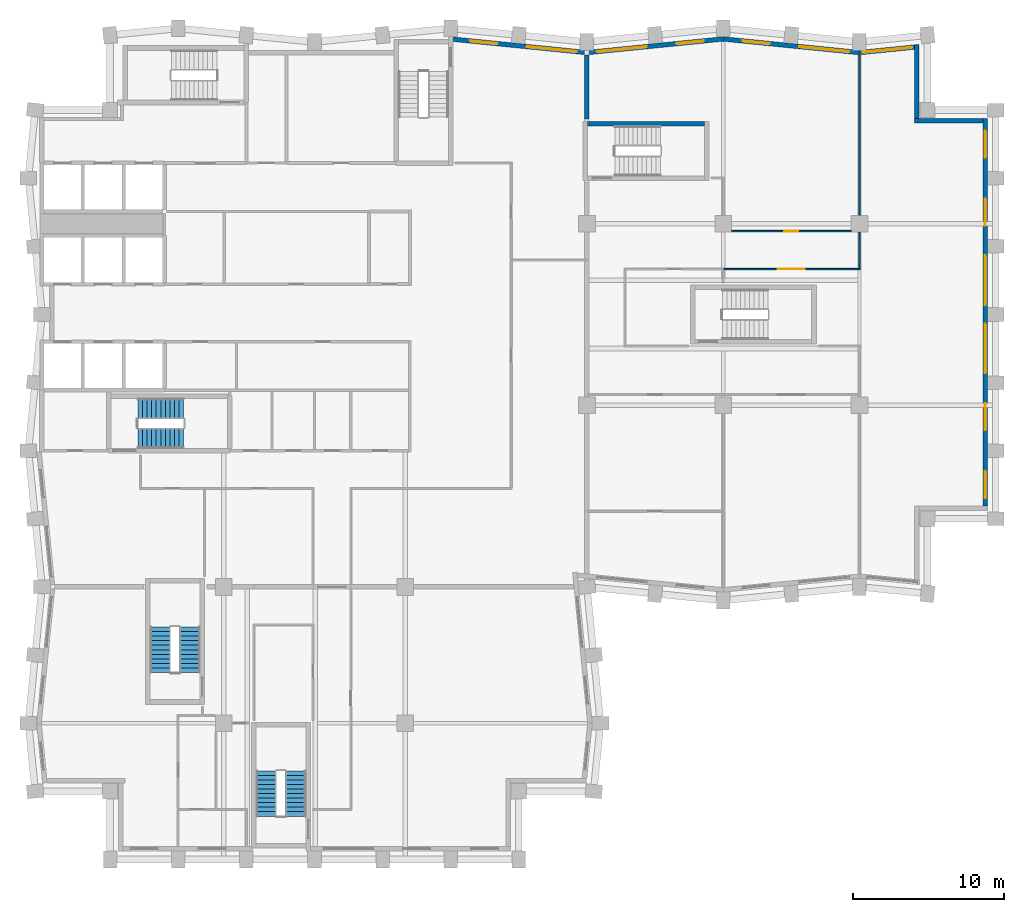
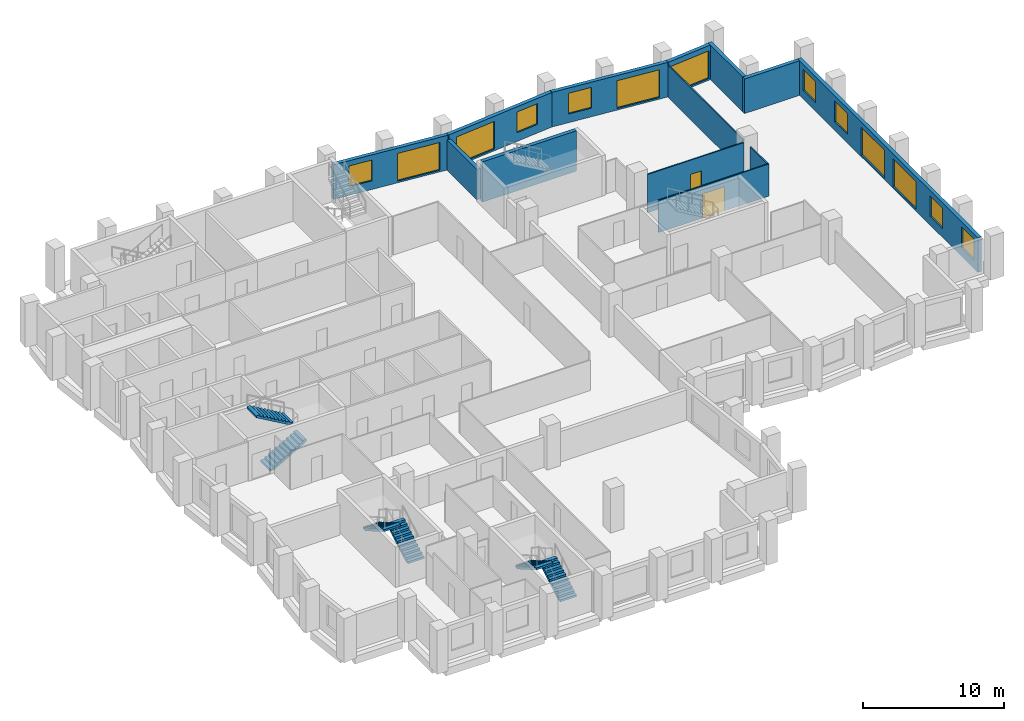
# One storey, part 7 of 10: 13 walls, 13 windows, 6 stair flights, 2 doors, 15 openings, 3 elements without a shape of their own.
"""IFC4 building model written with IfcOpenShell, lengths in metres."""

from ifc_helpers import new_model, si_unit, direction, frame, frame_2d, origin, place, context, subcontext, project, spatial, polyline, rectangle, outline, extrude, material, layer, layer_set, type_object, element, fill, aggregate, save


model = new_model("IFC4")

# Units and contexts
model_context = context("Model", 3, precision=1e-05, world=origin(), true_north=direction((0.0, 1.0)))
body_context = subcontext(model_context, "Body", "Model", "MODEL_VIEW")
ifc_project = project(units=[si_unit("LENGTHUNIT", "METRE"), si_unit("AREAUNIT", "SQUARE_METRE"), si_unit("VOLUMEUNIT", "CUBIC_METRE"), si_unit("PLANEANGLEUNIT", "RADIAN"), si_unit("MASSUNIT", "GRAM", prefix="KILO")], contexts=[model_context])

# Site, building, storey
site_placement = place(None, origin())
site = spatial("IfcSite", under=ifc_project, at=site_placement, CompositionType="ELEMENT")
building_placement = place(site_placement, origin())
building = spatial("IfcBuilding", under=site, at=building_placement, Name="Brondeck Convention Tower", CompositionType="ELEMENT")
storey_placement = place(building_placement, frame((0.0, 0.0, 189.0)))
storey = spatial("IfcBuildingStorey", under=building, at=storey_placement, Name="L46", CompositionType="ELEMENT", Elevation=189.0)

# Wall
ifc_material_1 = material(Name="Concrete compartment wall C30/37", Category="concrete")
ifc_layer_1 = layer(ifc_material_1, 0.300048828125)
ifc_layer_set_1 = layer_set([ifc_layer_1], Name="Compartment wall 300")
wall_type_1 = type_object("IfcWallType", Name="Compartment wall 300", PredefinedType="PARTITIONING", material=ifc_layer_set_1)
wall_1_placement = place(storey_placement, frame((36.0, 57.89990234375, 0.0), z_axis=(0.0, 0.0, 1.0), x_axis=(0.0, 1.0, 0.0)))
element("IfcWall", 1, at=wall_1_placement, inside=storey, type_object=wall_type_1, Name="FLR-L46-W058", PredefinedType="PARTITIONING", context=body_context, shape_type="SweptSolid", body=[
    extrude(rectangle(XDim=4.22607421875, YDim=0.300048828125, at=frame_2d((2.113037109375, 0.0))), origin(), (0.0, 0.0, 1.0), 2.6298828125),
])

# Wall, openings, windows
ifc_material_2 = material(Name="Precast concrete C50/60 bronze finish", Category="concrete")
ifc_layer_2 = layer(ifc_material_2, 0.070068359375, Name="Bronze precast facing")
ifc_material_3 = material(Name="Mineral wool")
ifc_layer_3 = layer(ifc_material_3, 0.159912109375, Name="Insulation")
ifc_material_4 = material(Name="Concrete C35/45", Category="concrete")
ifc_layer_4 = layer(ifc_material_4, 0.070068359375, Name="Backing")
ifc_layer_set_2 = layer_set([ifc_layer_2, ifc_layer_3, ifc_layer_4], Name="External infill wall, precast concrete C50/60 bronze facing")
wall_type_2 = type_object("IfcWallType", Name="External infill wall, precast concrete C50/60 bronze facing", PredefinedType="SOLIDWALL", material=ifc_layer_set_2)
wall_2_placement = place(storey_placement, frame((62.300048828125, 57.949951171875, 0.0), z_axis=(0.0, 0.0, 1.0), x_axis=(0.0, -1.0, 0.0)))
wall_2 = element("IfcWall", 2, at=wall_2_placement, inside=storey, type_object=wall_type_2, Name="ENV-EW-L46-P1-A-E63-01", PredefinedType="SOLIDWALL", context=body_context, shape_type="SweptSolid", body=[
    extrude(rectangle(XDim=25.60205078125, YDim=0.300048828125, at=frame_2d((12.801025390625, 0.0))), origin(), (0.0, 0.0, 1.0), 3.0),
])
opening_1_placement = place(wall_2_placement, frame((0.800048828125, 0.0, 0.75)))
opening_1 = element("IfcOpeningElement", 3, at=opening_1_placement, cuts=wall_2, Name="Opening W10", PredefinedType="OPENING", context=body_context, shape_type="SweptSolid", body=[
    extrude(rectangle(XDim=1.800048828125, YDim=1.800048828125, at=frame_2d((0.89990234375, 0.89990234375))), frame((0.0, 0.159912109375, 0.0), z_axis=(0.0, -1.0, 0.0), x_axis=(1.0, 0.0, 0.0)), (0.0, 0.0, 1.0), 0.320068359375),
])
opening_2_placement = place(wall_2_placement, frame((5.300048828125, 0.0, 0.75)))
opening_2 = element("IfcOpeningElement", 4, at=opening_2_placement, cuts=wall_2, Name="Opening W10", PredefinedType="OPENING", context=body_context, shape_type="SweptSolid", body=[
    extrude(rectangle(XDim=1.800048828125, YDim=1.800048828125, at=frame_2d((0.89990234375, 0.89990234375))), frame((0.0, 0.159912109375, 0.0), z_axis=(0.0, -1.0, 0.0), x_axis=(1.0, 0.0, 0.0)), (0.0, 0.0, 1.0), 0.320068359375),
])
opening_3_placement = place(wall_2_placement, frame((9.050048828125, 0.0, 0.14990234375)))
opening_3 = element("IfcOpeningElement", 5, at=opening_3_placement, cuts=wall_2, Name="Opening W9", PredefinedType="OPENING", context=body_context, shape_type="SweptSolid", body=[
    extrude(rectangle(XDim=3.300048828125, YDim=2.39990234375, at=frame_2d((1.64990234375, 1.199951171875))), frame((0.0, 0.159912109375, 0.0), z_axis=(0.0, -1.0, 0.0), x_axis=(1.0, 0.0, 0.0)), (0.0, 0.0, 1.0), 0.320068359375),
])
opening_4_placement = place(wall_2_placement, frame((13.550048828125, 0.0, 0.14990234375)))
opening_4 = element("IfcOpeningElement", 6, at=opening_4_placement, cuts=wall_2, Name="Opening W9", PredefinedType="OPENING", context=body_context, shape_type="SweptSolid", body=[
    extrude(rectangle(XDim=3.300048828125, YDim=2.39990234375, at=frame_2d((1.64990234375, 1.199951171875))), frame((0.0, 0.159912109375, 0.0), z_axis=(0.0, -1.0, 0.0), x_axis=(1.0, 0.0, 0.0)), (0.0, 0.0, 1.0), 0.320068359375),
])
opening_5_placement = place(wall_2_placement, frame((18.800048828125, 0.0, 0.75)))
opening_5 = element("IfcOpeningElement", 7, at=opening_5_placement, cuts=wall_2, Name="Opening W10", PredefinedType="OPENING", context=body_context, shape_type="SweptSolid", body=[
    extrude(rectangle(XDim=1.800048828125, YDim=1.800048828125, at=frame_2d((0.89990234375, 0.89990234375))), frame((0.0, 0.159912109375, 0.0), z_axis=(0.0, -1.0, 0.0), x_axis=(1.0, 0.0, 0.0)), (0.0, 0.0, 1.0), 0.320068359375),
])
opening_6_placement = place(wall_2_placement, frame((23.300048828125, 0.0, 0.75)))
opening_6 = element("IfcOpeningElement", 8, at=opening_6_placement, cuts=wall_2, Name="Opening W10", PredefinedType="OPENING", context=body_context, shape_type="SweptSolid", body=[
    extrude(rectangle(XDim=1.800048828125, YDim=1.800048828125, at=frame_2d((0.89990234375, 0.89990234375))), frame((0.0, 0.159912109375, 0.0), z_axis=(0.0, -1.0, 0.0), x_axis=(1.0, 0.0, 0.0)), (0.0, 0.0, 1.0), 0.320068359375),
])
ifc_material_5 = material(Name="Bronze tinted double glazing", Category="glass")
window_type_1 = type_object("IfcWindowType", Name="Glazed flute window, bronze tinted", PartitioningType="SINGLE_PANEL", PredefinedType="WINDOW", material=ifc_material_5)
window_1_placement = place(opening_3_placement, origin())
window_1 = element("IfcWindow", 9, at=window_1_placement, inside=storey, type_object=window_type_1, Name="ENV-WN-L46-P1-A-E63-04", OverallHeight=2.39990234375, OverallWidth=3.300048828125, PartitioningType="SINGLE_PANEL", PredefinedType="WINDOW", context=body_context, shape_type="SweptSolid", body=[
    extrude(rectangle(XDim=3.300048828125, YDim=2.39990234375, at=frame_2d((1.64990234375, 1.199951171875))), frame((0.0, 0.030029296875, 0.0), z_axis=(0.0, -1.0, 0.0), x_axis=(1.0, 0.0, 0.0)), (0.0, 0.0, 1.0), 0.06005859375),
])
fill(opening_3, window_1)
window_2_placement = place(opening_4_placement, origin())
window_2 = element("IfcWindow", 10, at=window_2_placement, inside=storey, type_object=window_type_1, Name="ENV-WN-L46-P1-A-E63-03", OverallHeight=2.39990234375, OverallWidth=3.300048828125, PartitioningType="SINGLE_PANEL", PredefinedType="WINDOW", context=body_context, shape_type="SweptSolid", body=[
    extrude(rectangle(XDim=3.300048828125, YDim=2.39990234375, at=frame_2d((1.64990234375, 1.199951171875))), frame((0.0, 0.030029296875, 0.0), z_axis=(0.0, -1.0, 0.0), x_axis=(1.0, 0.0, 0.0)), (0.0, 0.0, 1.0), 0.06005859375),
])
fill(opening_4, window_2)
window_type_2 = type_object("IfcWindowType", Name="Punched window, bronze tinted", PartitioningType="SINGLE_PANEL", PredefinedType="WINDOW", material=ifc_material_5)
window_3_placement = place(opening_1_placement, origin())
window_3 = element("IfcWindow", 11, at=window_3_placement, inside=storey, type_object=window_type_2, Name="ENV-WN-L46-P1-A-E63-06", OverallHeight=1.800048828125, OverallWidth=1.800048828125, PartitioningType="SINGLE_PANEL", PredefinedType="WINDOW", context=body_context, shape_type="SweptSolid", body=[
    extrude(rectangle(XDim=1.800048828125, YDim=1.800048828125, at=frame_2d((0.89990234375, 0.89990234375))), frame((0.0, 0.030029296875, 0.0), z_axis=(0.0, -1.0, 0.0), x_axis=(1.0, 0.0, 0.0)), (0.0, 0.0, 1.0), 0.06005859375),
])
fill(opening_1, window_3)
window_4_placement = place(opening_2_placement, origin())
window_4 = element("IfcWindow", 12, at=window_4_placement, inside=storey, type_object=window_type_2, Name="ENV-WN-L46-P1-A-E63-05", OverallHeight=1.800048828125, OverallWidth=1.800048828125, PartitioningType="SINGLE_PANEL", PredefinedType="WINDOW", context=body_context, shape_type="SweptSolid", body=[
    extrude(rectangle(XDim=1.800048828125, YDim=1.800048828125, at=frame_2d((0.89990234375, 0.89990234375))), frame((0.0, 0.030029296875, 0.0), z_axis=(0.0, -1.0, 0.0), x_axis=(1.0, 0.0, 0.0)), (0.0, 0.0, 1.0), 0.06005859375),
])
fill(opening_2, window_4)
window_5_placement = place(opening_5_placement, origin())
window_5 = element("IfcWindow", 13, at=window_5_placement, inside=storey, type_object=window_type_2, Name="ENV-WN-L46-P1-A-E63-02", OverallHeight=1.800048828125, OverallWidth=1.800048828125, PartitioningType="SINGLE_PANEL", PredefinedType="WINDOW", context=body_context, shape_type="SweptSolid", body=[
    extrude(rectangle(XDim=1.800048828125, YDim=1.800048828125, at=frame_2d((0.89990234375, 0.89990234375))), frame((0.0, 0.030029296875, 0.0), z_axis=(0.0, -1.0, 0.0), x_axis=(1.0, 0.0, 0.0)), (0.0, 0.0, 1.0), 0.06005859375),
])
fill(opening_5, window_5)
window_6_placement = place(opening_6_placement, origin())
window_6 = element("IfcWindow", 14, at=window_6_placement, inside=storey, type_object=window_type_2, Name="ENV-WN-L46-P1-A-E63-01", OverallHeight=1.800048828125, OverallWidth=1.800048828125, PartitioningType="SINGLE_PANEL", PredefinedType="WINDOW", context=body_context, shape_type="SweptSolid", body=[
    extrude(rectangle(XDim=1.800048828125, YDim=1.800048828125, at=frame_2d((0.89990234375, 0.89990234375))), frame((0.0, 0.030029296875, 0.0), z_axis=(0.0, -1.0, 0.0), x_axis=(1.0, 0.0, 0.0)), (0.0, 0.0, 1.0), 0.06005859375),
])
fill(opening_6, window_6)

# Walls
wall_3_placement = place(storey_placement, frame((57.64990234375, 57.800048828125, 0.0), z_axis=(0.0, 0.0, 1.0), x_axis=(1.0, 0.0, 0.0)))
element("IfcWall", 15, at=wall_3_placement, inside=storey, type_object=wall_type_2, Name="ENV-EW-L46-P1-NC-NEA63-01", PredefinedType="SOLIDWALL", context=body_context, shape_type="SweptSolid", body=[
    extrude(rectangle(XDim=4.502197265625, YDim=0.300048828125, at=frame_2d((2.2509765625, 0.0))), origin(), (0.0, 0.0, 1.0), 3.0),
])
wall_4_placement = place(storey_placement, frame((57.800048828125, 62.84228515625, 0.0), z_axis=(0.0, 0.0, 1.0), x_axis=(0.0, -1.0, 0.0)))
element("IfcWall", 16, at=wall_4_placement, inside=storey, type_object=wall_type_2, Name="ENV-EW-L46-P1-NC-NEA63-02", PredefinedType="SOLIDWALL", context=body_context, shape_type="SweptSolid", body=[
    extrude(rectangle(XDim=4.894287109375, YDim=0.300048828125, at=frame_2d((2.447265625, 0.0))), origin(), (0.0, 0.0, 1.0), 3.0),
])

# Wall, opening, window
wall_5_placement = place(storey_placement, frame((53.985107421875, 62.294921875, 0.0), z_axis=(0.0, 0.0, 1.0), x_axis=(0.99503719021, 0.099503719021, 0.0)))
wall_5 = element("IfcWall", 17, at=wall_5_placement, inside=storey, type_object=wall_type_2, Name="ENV-EW-L46-P1-A-N-12", PredefinedType="SOLIDWALL", context=body_context, shape_type="SweptSolid", body=[
    extrude(rectangle(XDim=3.677978515625, YDim=0.300048828125, at=frame_2d((1.8388671875, 0.0))), origin(), (0.0, 0.0, 1.0), 3.0),
])
opening_7_placement = place(wall_5_placement, frame((0.22802734375, 0.0, 0.14990234375)))
opening_7 = element("IfcOpeningElement", 18, at=opening_7_placement, cuts=wall_5, Name="Opening W9", PredefinedType="OPENING", context=body_context, shape_type="SweptSolid", body=[
    extrude(rectangle(XDim=3.300048828125, YDim=2.39990234375, at=frame_2d((1.64990234375, 1.199951171875))), frame((0.0, 0.159912109375, 0.0), z_axis=(0.0, -1.0, 0.0), x_axis=(1.0, 0.0, 0.0)), (0.0, 0.0, 1.0), 0.320068359375),
])
window_7_placement = place(opening_7_placement, origin())
window_7 = element("IfcWindow", 19, at=window_7_placement, inside=storey, type_object=window_type_1, Name="ENV-WN-L46-P1-A-N-12", OverallHeight=2.39990234375, OverallWidth=3.300048828125, PartitioningType="SINGLE_PANEL", PredefinedType="WINDOW", context=body_context, shape_type="SweptSolid", body=[
    extrude(rectangle(XDim=3.300048828125, YDim=2.39990234375, at=frame_2d((1.64990234375, 1.199951171875))), frame((0.0, 0.030029296875, 0.0), z_axis=(0.0, -1.0, 0.0), x_axis=(1.0, 0.0, 0.0)), (0.0, 0.0, 1.0), 0.06005859375),
])
fill(opening_7, window_7)

# Wall, openings, windows
wall_6_placement = place(storey_placement, frame((44.985107421875, 63.197998046875, 0.0), z_axis=(0.0, 0.0, 1.0), x_axis=(0.995037993253, -0.099495688264, 0.0)))
wall_6 = element("IfcWall", 20, at=wall_6_placement, inside=storey, type_object=wall_type_2, Name="ENV-EW-L46-P1-A-N-11", PredefinedType="SOLIDWALL", context=body_context, shape_type="SweptSolid", body=[
    extrude(rectangle(XDim=9.030029296875, YDim=0.300048828125, at=frame_2d((4.51513671875, 0.0))), origin(), (0.0, 0.0, 1.0), 3.0),
])
opening_8_placement = place(wall_6_placement, frame((1.30615234375, 0.0, 0.75)))
opening_8 = element("IfcOpeningElement", 21, at=opening_8_placement, cuts=wall_6, Name="Opening W10", PredefinedType="OPENING", context=body_context, shape_type="SweptSolid", body=[
    extrude(rectangle(XDim=1.800048828125, YDim=1.800048828125, at=frame_2d((0.89990234375, 0.89990234375))), frame((0.0, 0.159912109375, 0.0), z_axis=(0.0, -1.0, 0.0), x_axis=(1.0, 0.0, 0.0)), (0.0, 0.0, 1.0), 0.320068359375),
])
opening_9_placement = place(wall_6_placement, frame((5.07861328125, 0.0, 0.14990234375)))
opening_9 = element("IfcOpeningElement", 22, at=opening_9_placement, cuts=wall_6, Name="Opening W9", PredefinedType="OPENING", context=body_context, shape_type="SweptSolid", body=[
    extrude(rectangle(XDim=3.300048828125, YDim=2.39990234375, at=frame_2d((1.64990234375, 1.199951171875))), frame((0.0, 0.159912109375, 0.0), z_axis=(0.0, -1.0, 0.0), x_axis=(1.0, 0.0, 0.0)), (0.0, 0.0, 1.0), 0.320068359375),
])
window_8_placement = place(opening_9_placement, origin())
window_8 = element("IfcWindow", 23, at=window_8_placement, inside=storey, type_object=window_type_1, Name="ENV-WN-L46-P1-A-N-11", OverallHeight=2.39990234375, OverallWidth=3.300048828125, PartitioningType="SINGLE_PANEL", PredefinedType="WINDOW", context=body_context, shape_type="SweptSolid", body=[
    extrude(rectangle(XDim=3.300048828125, YDim=2.39990234375, at=frame_2d((1.64990234375, 1.199951171875))), frame((0.0, 0.030029296875, 0.0), z_axis=(0.0, -1.0, 0.0), x_axis=(1.0, 0.0, 0.0)), (0.0, 0.0, 1.0), 0.06005859375),
])
fill(opening_9, window_8)
window_9_placement = place(opening_8_placement, origin())
window_9 = element("IfcWindow", 24, at=window_9_placement, inside=storey, type_object=window_type_2, Name="ENV-WN-L46-P1-A-N-10", OverallHeight=1.800048828125, OverallWidth=1.800048828125, PartitioningType="SINGLE_PANEL", PredefinedType="WINDOW", context=body_context, shape_type="SweptSolid", body=[
    extrude(rectangle(XDim=1.800048828125, YDim=1.800048828125, at=frame_2d((0.89990234375, 0.89990234375))), frame((0.0, 0.030029296875, 0.0), z_axis=(0.0, -1.0, 0.0), x_axis=(1.0, 0.0, 0.0)), (0.0, 0.0, 1.0), 0.06005859375),
])
fill(opening_8, window_9)

wall_7_placement = place(storey_placement, frame((35.985107421875, 62.294921875, 0.0), z_axis=(0.0, 0.0, 1.0), x_axis=(0.995035316196, 0.099522457379, 0.0)))
wall_7 = element("IfcWall", 25, at=wall_7_placement, inside=storey, type_object=wall_type_2, Name="ENV-EW-L46-P1-A-N-09", PredefinedType="SOLIDWALL", context=body_context, shape_type="SweptSolid", body=[
    extrude(rectangle(XDim=9.030029296875, YDim=0.300048828125, at=frame_2d((4.51513671875, 0.0))), origin(), (0.0, 0.0, 1.0), 3.0),
])
opening_10_placement = place(wall_7_placement, frame((0.6962890625, 0.0, 0.14990234375)))
opening_10 = element("IfcOpeningElement", 26, at=opening_10_placement, cuts=wall_7, Name="Opening W9", PredefinedType="OPENING", context=body_context, shape_type="SweptSolid", body=[
    extrude(rectangle(XDim=3.300048828125, YDim=2.39990234375, at=frame_2d((1.64990234375, 1.199951171875))), frame((0.0, 0.159912109375, 0.0), z_axis=(0.0, -1.0, 0.0), x_axis=(1.0, 0.0, 0.0)), (0.0, 0.0, 1.0), 0.320068359375),
])
opening_11_placement = place(wall_7_placement, frame((5.968505859375, 0.0, 0.75)))
opening_11 = element("IfcOpeningElement", 27, at=opening_11_placement, cuts=wall_7, Name="Opening W10", PredefinedType="OPENING", context=body_context, shape_type="SweptSolid", body=[
    extrude(rectangle(XDim=1.800048828125, YDim=1.800048828125, at=frame_2d((0.89990234375, 0.89990234375))), frame((0.0, 0.159912109375, 0.0), z_axis=(0.0, -1.0, 0.0), x_axis=(1.0, 0.0, 0.0)), (0.0, 0.0, 1.0), 0.320068359375),
])
window_10_placement = place(opening_10_placement, origin())
window_10 = element("IfcWindow", 28, at=window_10_placement, inside=storey, type_object=window_type_1, Name="ENV-WN-L46-P1-A-N-08", OverallHeight=2.39990234375, OverallWidth=3.300048828125, PartitioningType="SINGLE_PANEL", PredefinedType="WINDOW", context=body_context, shape_type="SweptSolid", body=[
    extrude(rectangle(XDim=3.300048828125, YDim=2.39990234375, at=frame_2d((1.64990234375, 1.199951171875))), frame((0.0, 0.030029296875, 0.0), z_axis=(0.0, -1.0, 0.0), x_axis=(1.0, 0.0, 0.0)), (0.0, 0.0, 1.0), 0.06005859375),
])
fill(opening_10, window_10)
window_11_placement = place(opening_11_placement, origin())
window_11 = element("IfcWindow", 29, at=window_11_placement, inside=storey, type_object=window_type_2, Name="ENV-WN-L46-P1-A-N-09", OverallHeight=1.800048828125, OverallWidth=1.800048828125, PartitioningType="SINGLE_PANEL", PredefinedType="WINDOW", context=body_context, shape_type="SweptSolid", body=[
    extrude(rectangle(XDim=1.800048828125, YDim=1.800048828125, at=frame_2d((0.89990234375, 0.89990234375))), frame((0.0, 0.030029296875, 0.0), z_axis=(0.0, -1.0, 0.0), x_axis=(1.0, 0.0, 0.0)), (0.0, 0.0, 1.0), 0.06005859375),
])
fill(opening_11, window_11)

wall_8_placement = place(storey_placement, frame((27.07958984375, 63.188720703125, 0.0), z_axis=(0.0, 0.0, 1.0), x_axis=(0.995036108007, -0.099514540459, 0.0)))
wall_8 = element("IfcWall", 30, at=wall_8_placement, inside=storey, type_object=wall_type_2, Name="ENV-EW-L46-P1-A-N-07", PredefinedType="SOLIDWALL", context=body_context, shape_type="SweptSolid", body=[
    extrude(rectangle(XDim=8.93505859375, YDim=0.300048828125, at=frame_2d((4.467529296875, 0.0))), origin(), (0.0, 0.0, 1.0), 3.0),
])
opening_12_placement = place(wall_8_placement, frame((1.211181640625, 0.0, 0.75)))
opening_12 = element("IfcOpeningElement", 31, at=opening_12_placement, cuts=wall_8, Name="Opening W10", PredefinedType="OPENING", context=body_context, shape_type="SweptSolid", body=[
    extrude(rectangle(XDim=1.800048828125, YDim=1.800048828125, at=frame_2d((0.89990234375, 0.89990234375))), frame((0.0, 0.159912109375, 0.0), z_axis=(0.0, -1.0, 0.0), x_axis=(1.0, 0.0, 0.0)), (0.0, 0.0, 1.0), 0.320068359375),
])
opening_13_placement = place(wall_8_placement, frame((4.983642578125, 0.0, 0.14990234375)))
opening_13 = element("IfcOpeningElement", 32, at=opening_13_placement, cuts=wall_8, Name="Opening W9", PredefinedType="OPENING", context=body_context, shape_type="SweptSolid", body=[
    extrude(rectangle(XDim=3.300048828125, YDim=2.39990234375, at=frame_2d((1.64990234375, 1.199951171875))), frame((0.0, 0.159912109375, 0.0), z_axis=(0.0, -1.0, 0.0), x_axis=(1.0, 0.0, 0.0)), (0.0, 0.0, 1.0), 0.320068359375),
])
window_12_placement = place(opening_13_placement, origin())
window_12 = element("IfcWindow", 33, at=window_12_placement, inside=storey, type_object=window_type_1, Name="ENV-WN-L46-P1-A-N-07", OverallHeight=2.39990234375, OverallWidth=3.300048828125, PartitioningType="SINGLE_PANEL", PredefinedType="WINDOW", context=body_context, shape_type="SweptSolid", body=[
    extrude(rectangle(XDim=3.300048828125, YDim=2.39990234375, at=frame_2d((1.64990234375, 1.199951171875))), frame((0.0, 0.030029296875, 0.0), z_axis=(0.0, -1.0, 0.0), x_axis=(1.0, 0.0, 0.0)), (0.0, 0.0, 1.0), 0.06005859375),
])
fill(opening_13, window_12)
window_13_placement = place(opening_12_placement, origin())
window_13 = element("IfcWindow", 34, at=window_13_placement, inside=storey, type_object=window_type_2, Name="ENV-WN-L46-P1-A-N-06", OverallHeight=1.800048828125, OverallWidth=1.800048828125, PartitioningType="SINGLE_PANEL", PredefinedType="WINDOW", context=body_context, shape_type="SweptSolid", body=[
    extrude(rectangle(XDim=1.800048828125, YDim=1.800048828125, at=frame_2d((0.89990234375, 0.89990234375))), frame((0.0, 0.030029296875, 0.0), z_axis=(0.0, -1.0, 0.0), x_axis=(1.0, 0.0, 0.0)), (0.0, 0.0, 1.0), 0.06005859375),
])
fill(opening_12, window_13)

# Wall, opening, door
ifc_material_6 = material(Name="Gypsum board partition on steel studs", Category="steel")
ifc_layer_5 = layer(ifc_material_6, 0.10009765625)
ifc_layer_set_3 = layer_set([ifc_layer_5], Name="Room partition 100")
wall_type_3 = type_object("IfcWallType", Name="Room partition 100", PredefinedType="PARTITIONING", material=ifc_layer_set_3)
wall_9_placement = place(storey_placement, frame((54.050048828125, 48.0, 0.0), z_axis=(0.0, 0.0, 1.0), x_axis=(-1.0, 0.0, 0.0)))
wall_9 = element("IfcWall", 35, at=wall_9_placement, inside=storey, type_object=wall_type_3, Name="FLR-L46-W046", PredefinedType="PARTITIONING", context=body_context, shape_type="SweptSolid", body=[
    extrude(rectangle(XDim=9.050048828125, YDim=0.10009765625, at=frame_2d((4.52490234375, 0.0))), origin(), (0.0, 0.0, 1.0), 2.780029296875),
])
opening_14_placement = place(wall_9_placement, frame((3.64990234375, 0.0, 0.0)))
opening_14 = element("IfcOpeningElement", 36, at=opening_14_placement, cuts=wall_9, Name="Opening OF-J-005", PredefinedType="OPENING", context=body_context, shape_type="SweptSolid", body=[
    extrude(rectangle(XDim=1.800048828125, YDim=2.10009765625, at=frame_2d((0.89990234375, 1.050048828125))), frame((0.0, 0.06005859375, 0.0), z_axis=(0.0, -1.0, 0.0), x_axis=(1.0, 0.0, 0.0)), (0.0, 0.0, 1.0), 0.1201171875),
])
ifc_material_7 = material(Name="Glazed timber double door", Category="wood")
door_type_1 = type_object("IfcDoorType", Name="Double door 1800", OperationType="DOUBLE_DOOR_SINGLE_SWING", PredefinedType="DOOR", material=ifc_material_7)
door_1_placement = place(opening_14_placement, origin())
door_1 = element("IfcDoor", 37, at=door_1_placement, inside=storey, type_object=door_type_1, Name="Door OF-J-005", OperationType="DOUBLE_DOOR_SINGLE_SWING", OverallHeight=2.10009765625, OverallWidth=1.800048828125, PredefinedType="DOOR", context=body_context, shape_type="SweptSolid", body=[
    extrude(rectangle(XDim=1.800048828125, YDim=2.10009765625, at=frame_2d((0.89990234375, 1.050048828125))), frame((0.0, 0.02490234375, 0.0), z_axis=(0.0, -1.0, 0.0), x_axis=(1.0, 0.0, 0.0)), (0.0, 0.0, 1.0), 0.050048828125),
])
fill(opening_14, door_1)

# Wall
wall_10_placement = place(storey_placement, frame((54.0, 50.445068359375, 0.0), z_axis=(0.0, 0.0, 1.0), x_axis=(0.0, -1.0, 0.0)))
element("IfcWall", 38, at=wall_10_placement, inside=storey, type_object=wall_type_3, Name="FLR-L46-W050", PredefinedType="PARTITIONING", context=body_context, shape_type="SweptSolid", body=[
    extrude(rectangle(XDim=2.39501953125, YDim=0.10009765625, at=frame_2d((1.197509765625, 0.0))), origin(), (0.0, 0.0, 1.0), 2.780029296875),
])

# Wall, opening, door
wall_11_placement = place(storey_placement, frame((45.554931640625, 50.5, 0.0), z_axis=(0.0, 0.0, 1.0), x_axis=(1.0, 0.0, 0.0)))
wall_11 = element("IfcWall", 39, at=wall_11_placement, inside=storey, type_object=wall_type_3, Name="FLR-L46-W051", PredefinedType="PARTITIONING", context=body_context, shape_type="SweptSolid", body=[
    extrude(rectangle(XDim=7.89013671875, YDim=0.10009765625, at=frame_2d((3.945068359375, 0.0))), origin(), (0.0, 0.0, 1.0), 3.330078125),
])
opening_15_placement = place(wall_11_placement, frame((3.4951171875, 0.0, 0.0)))
opening_15 = element("IfcOpeningElement", 40, at=opening_15_placement, cuts=wall_11, Name="Opening OF-J-009", PredefinedType="OPENING", context=body_context, shape_type="SweptSolid", body=[
    extrude(rectangle(XDim=0.89990234375, YDim=2.10009765625, at=frame_2d((0.449951171875, 1.050048828125))), frame((0.0, 0.06005859375, 0.0), z_axis=(0.0, -1.0, 0.0), x_axis=(1.0, 0.0, 0.0)), (0.0, 0.0, 1.0), 0.1201171875),
])
ifc_material_8 = material(Name="Solid timber door leaf", Category="wood")
door_type_2 = type_object("IfcDoorType", Name="Single door 900", OperationType="NOTDEFINED", PredefinedType="DOOR", material=ifc_material_8)
door_2_placement = place(opening_15_placement, origin())
door_2 = element("IfcDoor", 41, at=door_2_placement, inside=storey, type_object=door_type_2, Name="Door OF-J-009", OperationType="SINGLE_SWING_LEFT", OverallHeight=2.10009765625, OverallWidth=0.89990234375, PredefinedType="DOOR", context=body_context, shape_type="SweptSolid", body=[
    extrude(rectangle(XDim=0.89990234375, YDim=2.10009765625, at=frame_2d((0.449951171875, 1.050048828125))), frame((0.0, 0.02490234375, 0.0), z_axis=(0.0, -1.0, 0.0), x_axis=(1.0, 0.0, 0.0)), (0.0, 0.0, 1.0), 0.050048828125),
])
fill(opening_15, door_2)

# Walls
wall_12_placement = place(storey_placement, frame((54.0, 51.554931640625, 0.0), z_axis=(0.0, 0.0, 1.0), x_axis=(0.0, 1.0, 0.0)))
element("IfcWall", 42, at=wall_12_placement, inside=storey, type_object=wall_type_3, Name="FLR-L46-W053", PredefinedType="PARTITIONING", context=body_context, shape_type="SweptSolid", body=[
    extrude(rectangle(XDim=10.57080078125, YDim=0.10009765625, at=frame_2d((5.285400390625, 0.0))), origin(), (0.0, 0.0, 1.0), 2.780029296875),
])
ifc_material_9 = material(Name="Concrete C70/85", Category="concrete")
ifc_layer_6 = layer(ifc_material_9, 0.300048828125)
ifc_layer_set_4 = layer_set([ifc_layer_6], Name="Stair enclosure wall 300 Concrete C70/85")
wall_type_4 = type_object("IfcWallType", Name="Stair enclosure wall 300 Concrete C70/85", PredefinedType="SHEAR", material=ifc_layer_set_4)
wall_13_placement = place(storey_placement, frame((36.050048828125, 57.60009765625, 0.0), z_axis=(0.0, 0.0, 1.0), x_axis=(1.0, 0.0, 0.0)))
element("IfcWall", 43, at=wall_13_placement, inside=storey, type_object=wall_type_4, Name="L46 core wall", PredefinedType="SHEAR", context=body_context, shape_type="SweptSolid", body=[
    extrude(rectangle(XDim=7.699951171875, YDim=0.300048828125, at=frame_2d((3.85009765625, 0.0))), origin(), (0.0, 0.0, 1.0), 3.5),
])

# Stair, stair flights
ifc_material_10 = material(Name="Precast concrete C50/60", Category="concrete")
stair_type = type_object("IfcStairType", Name="Core stair 22 risers 172.73 mm riser 300 mm going 1350 wide", PredefinedType="HALF_TURN_STAIR", material=ifc_material_10)
stair_1_placement = place(storey_placement, origin())
stair_1 = element("IfcStair", 44, at=stair_1_placement, inside=storey, type_object=stair_type, Name="ST-1 L46 stair", PredefinedType="HALF_TURN_STAIR")
stair_flight_type = type_object("IfcStairFlightType", Name="Core stair flight 22 risers 172.73 mm riser 300 mm going 1350 wide", PredefinedType="STRAIGHT", material=ifc_material_10)
stair_flight_1_placement = place(storey_placement, frame((6.35009765625, 36.824951171875, 0.0), z_axis=(0.0, 0.0, 1.0), x_axis=(1.0, 0.0, 0.0)))
stair_flight_1 = element("IfcStairFlight", 45, at=stair_flight_1_placement, type_object=stair_flight_type, Name="ST-1 flight 1", NumberOfRisers=11, NumberOfTreads=10, PredefinedType="STRAIGHT", RiserHeight=0.172727273, TreadLength=0.3, context=body_context, shape_type="SweptSolid", body=[
    extrude(outline(polyline([(0.0, 0.0), (0.0, 0.172607421875), (0.300048828125, 0.172607421875), (0.300048828125, 0.345458984375), (0.60009765625, 0.345458984375), (0.60009765625, 0.51806640625), (0.89990234375, 0.51806640625), (0.89990234375, 0.69091796875), (1.199951171875, 0.69091796875), (1.199951171875, 0.863525390625), (1.5, 0.863525390625), (1.5, 1.036376953125), (1.800048828125, 1.036376953125), (1.800048828125, 1.208984375), (2.10009765625, 1.208984375), (2.10009765625, 1.3818359375), (2.39990234375, 1.3818359375), (2.39990234375, 1.554443359375), (2.699951171875, 1.554443359375), (2.699951171875, 1.727294921875), (3.0, 1.727294921875), (3.0, 1.89990234375), (3.0, 1.55419921875), (0.300537109375, 0.0), (0.0, 0.0)])), frame((0.0, 0.675048828125, 0.0), z_axis=(0.0, -1.0, 0.0), x_axis=(1.0, 0.0, 0.0)), (0.0, 0.0, 1.0), 1.35009765625),
])
stair_flight_2_placement = place(storey_placement, frame((9.35009765625, 38.77490234375, 1.89990234375), z_axis=(0.0, 0.0, 1.0), x_axis=(-1.0, 0.0, 0.0)))
stair_flight_2 = element("IfcStairFlight", 46, at=stair_flight_2_placement, type_object=stair_flight_type, Name="ST-1 flight 2", NumberOfRisers=11, NumberOfTreads=10, PredefinedType="STRAIGHT", RiserHeight=0.172727273, TreadLength=0.3, context=body_context, shape_type="SweptSolid", body=[
    extrude(outline(polyline([(0.0, 0.0), (0.0, 0.172607421875), (0.300048828125, 0.172607421875), (0.300048828125, 0.345458984375), (0.60009765625, 0.345458984375), (0.60009765625, 0.51806640625), (0.89990234375, 0.51806640625), (0.89990234375, 0.69091796875), (1.199951171875, 0.69091796875), (1.199951171875, 0.863525390625), (1.5, 0.863525390625), (1.5, 1.036376953125), (1.800048828125, 1.036376953125), (1.800048828125, 1.208984375), (2.10009765625, 1.208984375), (2.10009765625, 1.3818359375), (2.39990234375, 1.3818359375), (2.39990234375, 1.554443359375), (2.699951171875, 1.554443359375), (2.699951171875, 1.727294921875), (3.0, 1.727294921875), (3.0, 1.89990234375), (3.0, 1.55419921875), (0.300537109375, 0.0), (0.0, 0.0)])), frame((0.0, 0.675048828125, 0.0), z_axis=(0.0, -1.0, 0.0), x_axis=(1.0, 0.0, 0.0)), (0.0, 0.0, 1.0), 1.35009765625),
])
aggregate(stair_1, [stair_flight_1, stair_flight_2])

stair_2_placement = place(storey_placement, origin())
stair_2 = element("IfcStair", 47, at=stair_2_placement, inside=storey, type_object=stair_type, Name="ST-BE L46 stair", PredefinedType="HALF_TURN_STAIR")
stair_flight_3_placement = place(storey_placement, frame((9.77490234375, 21.35009765625, 0.0), z_axis=(0.0, 0.0, 1.0), x_axis=(0.0, 1.0, 0.0)))
stair_flight_3 = element("IfcStairFlight", 48, at=stair_flight_3_placement, type_object=stair_flight_type, Name="ST-BE flight 1", NumberOfRisers=11, NumberOfTreads=10, PredefinedType="STRAIGHT", RiserHeight=0.172727273, TreadLength=0.3, context=body_context, shape_type="SweptSolid", body=[
    extrude(outline(polyline([(0.0, 0.0), (0.0, 0.172607421875), (0.300048828125, 0.172607421875), (0.300048828125, 0.345458984375), (0.60009765625, 0.345458984375), (0.60009765625, 0.51806640625), (0.89990234375, 0.51806640625), (0.89990234375, 0.69091796875), (1.199951171875, 0.69091796875), (1.199951171875, 0.863525390625), (1.5, 0.863525390625), (1.5, 1.036376953125), (1.800048828125, 1.036376953125), (1.800048828125, 1.208984375), (2.10009765625, 1.208984375), (2.10009765625, 1.3818359375), (2.39990234375, 1.3818359375), (2.39990234375, 1.554443359375), (2.699951171875, 1.554443359375), (2.699951171875, 1.727294921875), (3.0, 1.727294921875), (3.0, 1.89990234375), (3.0, 1.55419921875), (0.300537109375, 0.0), (0.0, 0.0)])), frame((0.0, 0.675048828125, 0.0), z_axis=(0.0, -1.0, 0.0), x_axis=(1.0, 0.0, 0.0)), (0.0, 0.0, 1.0), 1.35009765625),
])
stair_flight_4_placement = place(storey_placement, frame((7.824951171875, 24.35009765625, 1.89990234375), z_axis=(0.0, 0.0, 1.0), x_axis=(0.0, -1.0, 0.0)))
stair_flight_4 = element("IfcStairFlight", 49, at=stair_flight_4_placement, type_object=stair_flight_type, Name="ST-BE flight 2", NumberOfRisers=11, NumberOfTreads=10, PredefinedType="STRAIGHT", RiserHeight=0.172727273, TreadLength=0.3, context=body_context, shape_type="SweptSolid", body=[
    extrude(outline(polyline([(0.0, 0.0), (0.0, 0.172607421875), (0.300048828125, 0.172607421875), (0.300048828125, 0.345458984375), (0.60009765625, 0.345458984375), (0.60009765625, 0.51806640625), (0.89990234375, 0.51806640625), (0.89990234375, 0.69091796875), (1.199951171875, 0.69091796875), (1.199951171875, 0.863525390625), (1.5, 0.863525390625), (1.5, 1.036376953125), (1.800048828125, 1.036376953125), (1.800048828125, 1.208984375), (2.10009765625, 1.208984375), (2.10009765625, 1.3818359375), (2.39990234375, 1.3818359375), (2.39990234375, 1.554443359375), (2.699951171875, 1.554443359375), (2.699951171875, 1.727294921875), (3.0, 1.727294921875), (3.0, 1.89990234375), (3.0, 1.55419921875), (0.300537109375, 0.0), (0.0, 0.0)])), frame((0.0, 0.675048828125, 0.0), z_axis=(0.0, -1.0, 0.0), x_axis=(1.0, 0.0, 0.0)), (0.0, 0.0, 1.0), 1.35009765625),
])
aggregate(stair_2, [stair_flight_3, stair_flight_4])

stair_3_placement = place(storey_placement, origin())
stair_3 = element("IfcStair", 50, at=stair_3_placement, inside=storey, type_object=stair_type, Name="ST-BF L46 stair", PredefinedType="HALF_TURN_STAIR")
stair_flight_5_placement = place(storey_placement, frame((16.77490234375, 11.85009765625, 0.0), z_axis=(0.0, 0.0, 1.0), x_axis=(0.0, 1.0, 0.0)))
stair_flight_5 = element("IfcStairFlight", 51, at=stair_flight_5_placement, type_object=stair_flight_type, Name="ST-BF flight 1", NumberOfRisers=11, NumberOfTreads=10, PredefinedType="STRAIGHT", RiserHeight=0.172727273, TreadLength=0.3, context=body_context, shape_type="SweptSolid", body=[
    extrude(outline(polyline([(0.0, 0.0), (0.0, 0.172607421875), (0.300048828125, 0.172607421875), (0.300048828125, 0.345458984375), (0.60009765625, 0.345458984375), (0.60009765625, 0.51806640625), (0.89990234375, 0.51806640625), (0.89990234375, 0.69091796875), (1.199951171875, 0.69091796875), (1.199951171875, 0.863525390625), (1.5, 0.863525390625), (1.5, 1.036376953125), (1.800048828125, 1.036376953125), (1.800048828125, 1.208984375), (2.10009765625, 1.208984375), (2.10009765625, 1.3818359375), (2.39990234375, 1.3818359375), (2.39990234375, 1.554443359375), (2.699951171875, 1.554443359375), (2.699951171875, 1.727294921875), (3.0, 1.727294921875), (3.0, 1.89990234375), (3.0, 1.55419921875), (0.300537109375, 0.0), (0.0, 0.0)])), frame((0.0, 0.675048828125, 0.0), z_axis=(0.0, -1.0, 0.0), x_axis=(1.0, 0.0, 0.0)), (0.0, 0.0, 1.0), 1.35009765625),
])
stair_flight_6_placement = place(storey_placement, frame((14.824951171875, 14.85009765625, 1.89990234375), z_axis=(0.0, 0.0, 1.0), x_axis=(0.0, -1.0, 0.0)))
stair_flight_6 = element("IfcStairFlight", 52, at=stair_flight_6_placement, type_object=stair_flight_type, Name="ST-BF flight 2", NumberOfRisers=11, NumberOfTreads=10, PredefinedType="STRAIGHT", RiserHeight=0.172727273, TreadLength=0.3, context=body_context, shape_type="SweptSolid", body=[
    extrude(outline(polyline([(0.0, 0.0), (0.0, 0.172607421875), (0.300048828125, 0.172607421875), (0.300048828125, 0.345458984375), (0.60009765625, 0.345458984375), (0.60009765625, 0.51806640625), (0.89990234375, 0.51806640625), (0.89990234375, 0.69091796875), (1.199951171875, 0.69091796875), (1.199951171875, 0.863525390625), (1.5, 0.863525390625), (1.5, 1.036376953125), (1.800048828125, 1.036376953125), (1.800048828125, 1.208984375), (2.10009765625, 1.208984375), (2.10009765625, 1.3818359375), (2.39990234375, 1.3818359375), (2.39990234375, 1.554443359375), (2.699951171875, 1.554443359375), (2.699951171875, 1.727294921875), (3.0, 1.727294921875), (3.0, 1.89990234375), (3.0, 1.55419921875), (0.300537109375, 0.0), (0.0, 0.0)])), frame((0.0, 0.675048828125, 0.0), z_axis=(0.0, -1.0, 0.0), x_axis=(1.0, 0.0, 0.0)), (0.0, 0.0, 1.0), 1.35009765625),
])
aggregate(stair_3, [stair_flight_5, stair_flight_6])

save(model, "model.ifc")
